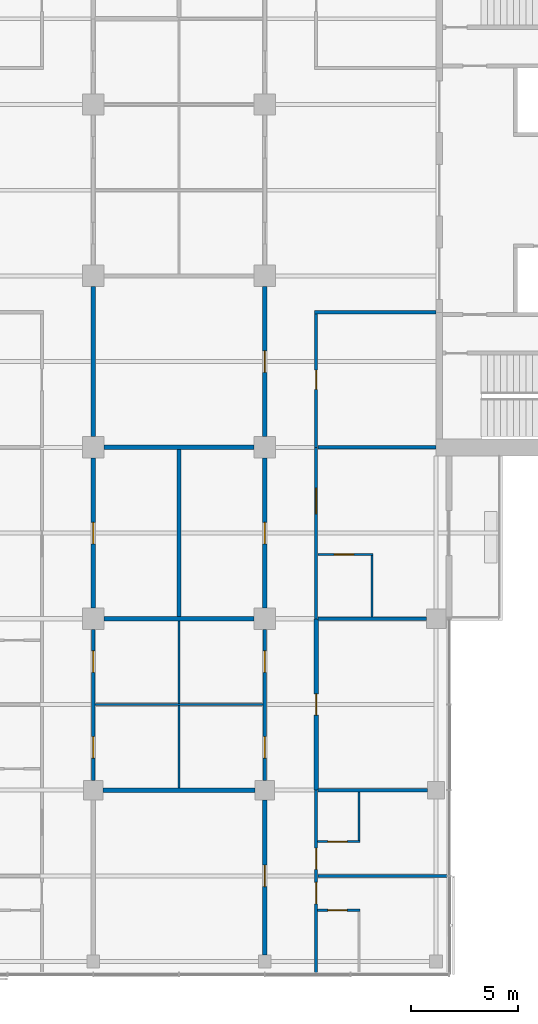
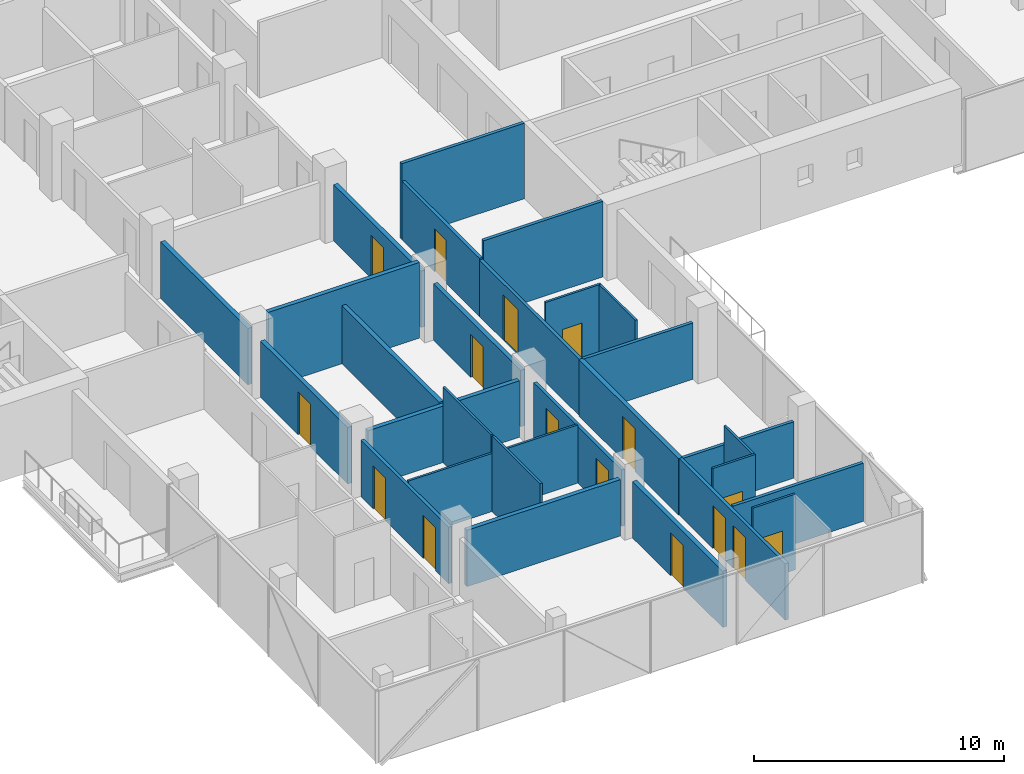
# One storey, part 16 of 27: 28 walls, 16 doors, 16 openings.
"""IFC4 building model written with IfcOpenShell, lengths in metres."""

import ifcopenshell
import ifcopenshell.guid

model = None  # the IFC model being written
_history = None  # IfcOwnerHistory: only IFC2X3 demands one
_inside = {}  # id of a spatial element -> (the spatial element, [elements in it])
_under = {}  # id of a project, library or spatial element -> (it, [spatial elements below it])
_declared = {}  # id of a project -> (the project, [libraries it declares])
_typed = {}  # id of a type object -> (the type object, [elements of that type])
_made_of = {}  # id of a material, layer set ... -> (it, [elements and type objects made of it])


def new_model(schema):
    """Start an empty IFC model of exactly this schema.

    Asked for "IFC4X3", IfcOpenShell would pick the latest addendum, in which some entities
    have other attributes; the version numbers below select the first issue.
    IFC2X3 requires an IfcOwnerHistory on every rooted entity: one is made here for all.
    """
    global model, _history
    if schema == "IFC4X3":
        model = ifcopenshell.file(schema_version=(4, 3, 0, 0))
    else:
        model = ifcopenshell.file(schema=schema)
    _inside.clear()
    _under.clear()
    _declared.clear()
    _typed.clear()
    _made_of.clear()
    _history = None
    if model.schema == "IFC2X3":
        org = make("IfcOrganization", Name="unknown")
        user = make(
            "IfcPersonAndOrganization",
            ThePerson=make("IfcPerson", FamilyName="unknown"),
            TheOrganization=org,
        )
        app = make(
            "IfcApplication",
            ApplicationDeveloper=org,
            Version="unknown",
            ApplicationFullName="unknown",
            ApplicationIdentifier="unknown",
        )
        _history = make(
            "IfcOwnerHistory",
            OwningUser=user,
            OwningApplication=app,
            ChangeAction="ADDED",
            CreationDate=0,
        )
    return model


def make(cls, **values):
    """One entity of the class cls with the attributes given. An attribute that is None is left unset."""
    return model.create_entity(
        cls, **{name: value for name, value in values.items() if value is not None}
    )


def rooted(cls, **values):
    """An entity with a GlobalId (a new one), such as an element, a storey or a relation."""
    return make(cls, GlobalId=ifcopenshell.guid.new(), OwnerHistory=_history, **values)


def si_unit(unit_type, name, prefix=None):
    """IfcSIUnit, for example si_unit("LENGTHUNIT", "METRE", prefix="MILLI")."""
    return make("IfcSIUnit", UnitType=unit_type, Prefix=prefix, Name=name)


def assignment(units):
    """IfcUnitAssignment: the units of a project."""
    return None if units is None else make("IfcUnitAssignment", Units=units)


def point(xyz):
    """IfcCartesianPoint."""
    return None if xyz is None else make("IfcCartesianPoint", Coordinates=xyz)


def direction(xyz):
    """IfcDirection."""
    return None if xyz is None else make("IfcDirection", DirectionRatios=xyz)


def frame(location, z_axis=None, x_axis=None):
    """IfcAxis2Placement3D, a coordinate frame: its origin and axes. An axis left out is left unset."""
    return make(
        "IfcAxis2Placement3D",
        Location=point(location),
        Axis=direction(z_axis),
        RefDirection=direction(x_axis),
    )


def frame_2d(location, x_axis=None):
    """IfcAxis2Placement2D, a coordinate frame in the plane: its origin and x axis."""
    return make(
        "IfcAxis2Placement2D", Location=point(location), RefDirection=direction(x_axis)
    )


def origin():
    """The frame at (0, 0, 0) with its axes left unset."""
    return frame((0.0, 0.0, 0.0))


def place(relative_to, where):
    """IfcLocalPlacement: puts the frame where relative to a parent placement (None: the world)."""
    return make(
        "IfcLocalPlacement", PlacementRelTo=relative_to, RelativePlacement=where
    )


def context(
    kind, dimensions, precision=None, world=None, true_north=None, identifier=None
):
    """IfcGeometricRepresentationContext, for example the 3D "Model" context."""
    return make(
        "IfcGeometricRepresentationContext",
        ContextIdentifier=identifier,
        ContextType=kind,
        CoordinateSpaceDimension=dimensions,
        Precision=precision,
        WorldCoordinateSystem=world,
        TrueNorth=true_north,
    )


def subcontext(parent, identifier, kind, view, scale=None):
    """IfcGeometricRepresentationSubContext, for example "Body" below "Model"."""
    return make(
        "IfcGeometricRepresentationSubContext",
        ContextIdentifier=identifier,
        ContextType=kind,
        ParentContext=parent,
        TargetScale=scale,
        TargetView=view,
    )


def project(units=None, contexts=None):
    """IfcProject with its units and contexts."""
    return rooted(
        "IfcProject",
        Name="project",
        RepresentationContexts=contexts,
        UnitsInContext=assignment(units),
    )


def spatial(cls, under=None, at=None, **own):
    """A site, building, storey or space (cls), placed at a placement, below another one or the project."""
    s = rooted(cls, ObjectPlacement=at, **own)
    if under is not None:
        _under.setdefault(under.id(), (under, []))[1].append(s)
    return s


def profile(cls, at=None, kind="AREA", **sizes):
    """A parametric profile (cls). Its sizes go by their IFC names, for example OverallWidth=200.0."""
    return make(cls, ProfileType=kind, Position=at, **sizes)


def rectangle(**sizes):
    """IfcRectangleProfileDef."""
    return profile("IfcRectangleProfileDef", **sizes)


def extrude(swept, where, along, depth):
    """IfcExtrudedAreaSolid: the profile swept, set in the frame where, extruded along a direction by depth."""
    return make(
        "IfcExtrudedAreaSolid",
        SweptArea=swept,
        Position=where,
        ExtrudedDirection=direction(along),
        Depth=depth,
    )


def shape(context_of_items, identifier, shape_type, items):
    """IfcShapeRepresentation: the items that make up one representation, for example the "Body"."""
    return make(
        "IfcShapeRepresentation",
        ContextOfItems=context_of_items,
        RepresentationIdentifier=identifier,
        RepresentationType=shape_type,
        Items=items,
    )


def material(Name=None, Category=None):
    """IfcMaterial."""
    return make("IfcMaterial", Name=Name, Category=Category)


def layer(
    of_material, thickness, ventilated=None, Name=None, Category=None, Priority=None
):
    """IfcMaterialLayer: one layer of a wall or slab, of a material (None: an air gap)."""
    return make(
        "IfcMaterialLayer",
        Material=of_material,
        LayerThickness=thickness,
        IsVentilated=ventilated,
        Name=Name,
        Category=Category,
        Priority=Priority,
    )


def layer_set(layers, Name=None):
    """IfcMaterialLayerSet."""
    return make("IfcMaterialLayerSet", MaterialLayers=layers, LayerSetName=Name)


def made_of(thing, what):
    """Note that an element or type object is made of a material, layer set ...; save() writes the relation."""
    if what is not None:
        _made_of.setdefault(what.id(), (what, []))[1].append(thing)
    return thing


def type_object(cls, material=None, **own):
    """A type object (cls), such as IfcWallType, which elements share."""
    return made_of(rooted(cls, **own), material)


def element(
    cls,
    number,
    at=None,
    inside=None,
    cuts=None,
    type_object=None,
    material=None,
    context=None,
    identifier="Body",
    shape_type=None,
    held_by="IfcProductDefinitionShape",
    body=None,
    shapes=None,
    **own,
):
    """One element of the class cls, such as IfcWall. Its Tag is "e" and its number.

    at: its placement. inside: the storey or other place that contains it. cuts: it is an
    opening in that element (IfcRelVoidsElement). A single representation is given by context,
    identifier, shape_type and body (its items); several are given by shapes. held_by: the class
    of the entity that holds the representations. save() writes the other relations.
    """
    e = rooted(cls, Tag="e%d" % number, ObjectPlacement=at, **own)
    if body is not None:
        shapes = [shape(context, identifier, shape_type, body)]
    if shapes is not None:
        e.Representation = make(held_by, Representations=shapes)
    if inside is not None:
        _inside.setdefault(inside.id(), (inside, []))[1].append(e)
    if cuts is not None:
        rooted(
            "IfcRelVoidsElement", RelatingBuildingElement=cuts, RelatedOpeningElement=e
        )
    if type_object is not None:
        _typed.setdefault(type_object.id(), (type_object, []))[1].append(e)
    return made_of(e, material)


def fill(opening, filler):
    """IfcRelFillsElement: the door or window that sits in an opening."""
    return rooted(
        "IfcRelFillsElement",
        RelatingOpeningElement=opening,
        RelatedBuildingElement=filler,
    )


def aggregate(whole, parts):
    """IfcRelAggregates: a whole, such as a stair, and the parts it consists of."""
    return rooted("IfcRelAggregates", RelatingObject=whole, RelatedObjects=parts)


def save(model, path):
    """Write the relations noted so far, then the file.

    IfcRelAggregates (storeys below a building ...), IfcRelContainedInSpatialStructure (elements
    in a storey), IfcRelDefinesByType, IfcRelAssociatesMaterial and IfcRelDeclares: one each for
    every whole, place, type object, material and project.
    """
    for whole, parts in _under.values():
        aggregate(whole, parts)
    for where, things in _inside.values():
        rooted(
            "IfcRelContainedInSpatialStructure",
            RelatedElements=things,
            RelatingStructure=where,
        )
    for kind, things in _typed.values():
        rooted("IfcRelDefinesByType", RelatedObjects=things, RelatingType=kind)
    for what, things in _made_of.values():
        rooted("IfcRelAssociatesMaterial", RelatedObjects=things, RelatingMaterial=what)
    for by, libraries in _declared.values():
        rooted("IfcRelDeclares", RelatingContext=by, RelatedDefinitions=libraries)
    model.write(path)


model = new_model("IFC4")

# Units and contexts
model_context = context("Model", 3, precision=1e-05, world=origin(), true_north=direction((0.0, 1.0)))
body_context = subcontext(model_context, "Body", "Model", "MODEL_VIEW")
ifc_project = project(units=[si_unit("LENGTHUNIT", "METRE"), si_unit("AREAUNIT", "SQUARE_METRE"), si_unit("VOLUMEUNIT", "CUBIC_METRE"), si_unit("PLANEANGLEUNIT", "RADIAN"), si_unit("MASSUNIT", "GRAM", prefix="KILO")], contexts=[model_context])

# Site, building, storey
site_placement = place(None, origin())
site = spatial("IfcSite", under=ifc_project, at=site_placement, CompositionType="ELEMENT")
building_placement = place(site_placement, origin())
building = spatial("IfcBuilding", under=site, at=building_placement, Name="Crosswind Convention Tower", CompositionType="ELEMENT")
storey_placement = place(building_placement, frame((0.0, 0.0, 101.60009765625)))
storey = spatial("IfcBuildingStorey", under=building, at=storey_placement, Name="L20", CompositionType="ELEMENT", Elevation=101.60009765625)

# Wall
ifc_material_1 = material(Name="Plasterboard partition", Category="gypsum")
ifc_layer_1 = layer(ifc_material_1, 0.14990234375)
ifc_layer_set_1 = layer_set([ifc_layer_1], Name="CORRIDOR WALL 150")
wall_type_1 = type_object("IfcWallType", Name="CORRIDOR WALL 150", PredefinedType="PARTITIONING", material=ifc_layer_set_1)
wall_1_placement = place(storey_placement, frame((131.324951171875, 94.300048828125, 0.0), z_axis=(0.0, 0.0, 1.0), x_axis=(1.0, 0.0, 0.0)))
element("IfcWall", 1, at=wall_1_placement, inside=storey, type_object=wall_type_1, Name="Corridor Wall 19", PredefinedType="PARTITIONING", context=body_context, shape_type="SweptSolid", body=[
    extrude(rectangle(XDim=5.675048828125, YDim=0.14990234375, at=frame_2d((2.83740234375, 0.0))), origin(), (0.0, 0.0, 1.0), 3.699951171875),
])

# Wall, openings, doors
wall_2_placement = place(storey_placement, frame((121.0, 72.449951171875, 0.0), z_axis=(0.0, 0.0, 1.0), x_axis=(0.0, 1.0, 0.0)))
wall_2 = element("IfcWall", 2, at=wall_2_placement, inside=storey, type_object=wall_type_1, Name="Corridor Wall 64", PredefinedType="PARTITIONING", context=body_context, shape_type="SweptSolid", body=[
    extrude(rectangle(XDim=7.050048828125, YDim=0.14990234375, at=frame_2d((3.52490234375, 0.0))), origin(), (0.0, 0.0, 1.0), 2.760498046875),
])
opening_1_placement = place(wall_2_placement, frame((1.050048828125, 0.0, 0.0)))
opening_1 = element("IfcOpeningElement", 3, at=opening_1_placement, cuts=wall_2, Name="Opening 20.038", PredefinedType="OPENING", context=body_context, shape_type="SweptSolid", body=[
    extrude(rectangle(XDim=1.0, YDim=2.10009765625, at=frame_2d((0.5, 1.050048828125))), frame((0.0, 0.0849609375, 0.0), z_axis=(0.0, -1.0, 0.0), x_axis=(1.0, 0.0, 0.0)), (0.0, 0.0, 1.0), 0.169921875),
])
opening_2_placement = place(wall_2_placement, frame((5.050048828125, 0.0, 0.0)))
opening_2 = element("IfcOpeningElement", 4, at=opening_2_placement, cuts=wall_2, Name="Opening 20.039", PredefinedType="OPENING", context=body_context, shape_type="SweptSolid", body=[
    extrude(rectangle(XDim=1.0, YDim=2.10009765625, at=frame_2d((0.5, 1.050048828125))), frame((0.0, 0.0849609375, 0.0), z_axis=(0.0, -1.0, 0.0), x_axis=(1.0, 0.0, 0.0)), (0.0, 0.0, 1.0), 0.169921875),
])
ifc_material_2 = material(Name="Timber fire door", Category="wood")
door_type_1 = type_object("IfcDoorType", Name="SERVICE ROOM DOOR 1000X2100", OperationType="NOTDEFINED", PredefinedType="DOOR", material=ifc_material_2)
door_1_placement = place(opening_1_placement, frame((1.0, 0.0, 0.0), z_axis=(0.0, 0.0, 1.0), x_axis=(-1.0, 0.0, 0.0)))
door_1 = element("IfcDoor", 5, at=door_1_placement, inside=storey, type_object=door_type_1, Name="Door 20.038", ObjectType="D3", OperationType="SINGLE_SWING_RIGHT", OverallHeight=2.10009765625, OverallWidth=1.0, PredefinedType="DOOR", context=body_context, shape_type="SweptSolid", body=[
    extrude(rectangle(XDim=1.0, YDim=2.10009765625, at=frame_2d((0.5, 1.050048828125))), frame((0.0, 0.02490234375, 0.0), z_axis=(0.0, -1.0, 0.0), x_axis=(1.0, 0.0, 0.0)), (0.0, 0.0, 1.0), 0.050048828125),
])
fill(opening_1, door_1)
door_2_placement = place(opening_2_placement, frame((1.0, 0.0, 0.0), z_axis=(0.0, 0.0, 1.0), x_axis=(-1.0, 0.0, 0.0)))
door_2 = element("IfcDoor", 6, at=door_2_placement, inside=storey, type_object=door_type_1, Name="Door 20.039", ObjectType="D3", OperationType="SINGLE_SWING_LEFT", OverallHeight=2.10009765625, OverallWidth=1.0, PredefinedType="DOOR", context=body_context, shape_type="SweptSolid", body=[
    extrude(rectangle(XDim=1.0, YDim=2.10009765625, at=frame_2d((0.5, 1.050048828125))), frame((0.0, 0.02490234375, 0.0), z_axis=(0.0, -1.0, 0.0), x_axis=(1.0, 0.0, 0.0)), (0.0, 0.0, 1.0), 0.050048828125),
])
fill(opening_2, door_2)

wall_3_placement = place(storey_placement, frame((129.0, 72.449951171875, 0.0), z_axis=(0.0, 0.0, 1.0), x_axis=(0.0, 1.0, 0.0)))
wall_3 = element("IfcWall", 7, at=wall_3_placement, inside=storey, type_object=wall_type_1, Name="Corridor Wall 84", PredefinedType="PARTITIONING", context=body_context, shape_type="SweptSolid", body=[
    extrude(rectangle(XDim=7.050048828125, YDim=0.14990234375, at=frame_2d((3.52490234375, 0.0))), origin(), (0.0, 0.0, 1.0), 2.760498046875),
])
opening_3_placement = place(wall_3_placement, frame((1.050048828125, 0.0, 0.0)))
opening_3 = element("IfcOpeningElement", 8, at=opening_3_placement, cuts=wall_3, Name="Opening 20.040", PredefinedType="OPENING", context=body_context, shape_type="SweptSolid", body=[
    extrude(rectangle(XDim=1.0, YDim=2.10009765625, at=frame_2d((0.5, 1.050048828125))), frame((0.0, 0.0849609375, 0.0), z_axis=(0.0, -1.0, 0.0), x_axis=(1.0, 0.0, 0.0)), (0.0, 0.0, 1.0), 0.169921875),
])
opening_4_placement = place(wall_3_placement, frame((5.050048828125, 0.0, 0.0)))
opening_4 = element("IfcOpeningElement", 9, at=opening_4_placement, cuts=wall_3, Name="Opening 20.041", PredefinedType="OPENING", context=body_context, shape_type="SweptSolid", body=[
    extrude(rectangle(XDim=1.0, YDim=2.10009765625, at=frame_2d((0.5, 1.050048828125))), frame((0.0, 0.0849609375, 0.0), z_axis=(0.0, -1.0, 0.0), x_axis=(1.0, 0.0, 0.0)), (0.0, 0.0, 1.0), 0.169921875),
])
door_3_placement = place(opening_3_placement, origin())
door_3 = element("IfcDoor", 10, at=door_3_placement, inside=storey, type_object=door_type_1, Name="Door 20.040", ObjectType="D3", OperationType="SINGLE_SWING_LEFT", OverallHeight=2.10009765625, OverallWidth=1.0, PredefinedType="DOOR", context=body_context, shape_type="SweptSolid", body=[
    extrude(rectangle(XDim=1.0, YDim=2.10009765625, at=frame_2d((0.5, 1.050048828125))), frame((0.0, 0.02490234375, 0.0), z_axis=(0.0, -1.0, 0.0), x_axis=(1.0, 0.0, 0.0)), (0.0, 0.0, 1.0), 0.050048828125),
])
fill(opening_3, door_3)
door_4_placement = place(opening_4_placement, origin())
door_4 = element("IfcDoor", 11, at=door_4_placement, inside=storey, type_object=door_type_1, Name="Door 20.041", ObjectType="D3", OperationType="SINGLE_SWING_RIGHT", OverallHeight=2.10009765625, OverallWidth=1.0, PredefinedType="DOOR", context=body_context, shape_type="SweptSolid", body=[
    extrude(rectangle(XDim=1.0, YDim=2.10009765625, at=frame_2d((0.5, 1.050048828125))), frame((0.0, 0.02490234375, 0.0), z_axis=(0.0, -1.0, 0.0), x_axis=(1.0, 0.0, 0.0)), (0.0, 0.0, 1.0), 0.050048828125),
])
fill(opening_4, door_4)

# Wall, opening, door
wall_4_placement = place(storey_placement, frame((131.39990234375, 88.0, 0.0), z_axis=(0.0, 0.0, 1.0), x_axis=(0.0, 1.0, 0.0)))
wall_4 = element("IfcWall", 12, at=wall_4_placement, inside=storey, type_object=wall_type_1, Name="Corridor Wall 95", PredefinedType="PARTITIONING", context=body_context, shape_type="SweptSolid", body=[
    extrude(rectangle(XDim=6.22509765625, YDim=0.14990234375, at=frame_2d((3.112548828125, 0.0))), origin(), (0.0, 0.0, 1.0), 2.8427734375),
])
opening_5_placement = place(wall_4_placement, frame((2.699951171875, 0.0, 0.0)))
opening_5 = element("IfcOpeningElement", 13, at=opening_5_placement, cuts=wall_4, Name="Opening 20.002", PredefinedType="OPENING", context=body_context, shape_type="SweptSolid", body=[
    extrude(rectangle(XDim=0.89990234375, YDim=2.10009765625, at=frame_2d((0.449951171875, 1.050048828125))), frame((0.0, 0.0849609375, 0.0), z_axis=(0.0, -1.0, 0.0), x_axis=(1.0, 0.0, 0.0)), (0.0, 0.0, 1.0), 0.169921875),
])
ifc_material_3 = material(Name="Timber door", Category="wood")
door_type_2 = type_object("IfcDoorType", Name="WC DOOR 900X2100", OperationType="NOTDEFINED", PredefinedType="DOOR", material=ifc_material_3)
door_5_placement = place(opening_5_placement, frame((0.89990234375, 0.0, 0.0), z_axis=(0.0, 0.0, 1.0), x_axis=(-1.0, 0.0, 0.0)))
door_5 = element("IfcDoor", 14, at=door_5_placement, inside=storey, type_object=door_type_2, Name="Door 20.002", ObjectType="D7", OperationType="SINGLE_SWING_LEFT", OverallHeight=2.10009765625, OverallWidth=0.89990234375, PredefinedType="DOOR", context=body_context, shape_type="SweptSolid", body=[
    extrude(rectangle(XDim=0.89990234375, YDim=2.10009765625, at=frame_2d((0.449951171875, 1.050048828125))), frame((0.0, 0.02490234375, 0.0), z_axis=(0.0, -1.0, 0.0), x_axis=(1.0, 0.0, 0.0)), (0.0, 0.0, 1.0), 0.050048828125),
])
fill(opening_5, door_5)

# Walls
ifc_material_4 = material(Name="Acoustic plasterboard partition", Category="gypsum")
ifc_layer_2 = layer(ifc_material_4, 0.14990234375)
ifc_layer_set_2 = layer_set([ifc_layer_2], Name="GUEST ROOM WALL 150")
wall_type_2 = type_object("IfcWallType", Name="GUEST ROOM WALL 150", PredefinedType="PARTITIONING", material=ifc_layer_set_2)
wall_5_placement = place(storey_placement, frame((131.47509765625, 68.0, 0.0), z_axis=(0.0, 0.0, 1.0), x_axis=(1.0, 0.0, 0.0)))
element("IfcWall", 15, at=wall_5_placement, inside=storey, type_object=wall_type_2, Name="Guest Room Wall 4", PredefinedType="PARTITIONING", context=body_context, shape_type="SweptSolid", body=[
    extrude(rectangle(XDim=6.02490234375, YDim=0.14990234375, at=frame_2d((3.012451171875, 0.0))), origin(), (0.0, 0.0, 1.0), 2.8427734375),
])
wall_6_placement = place(storey_placement, frame((131.47509765625, 72.0, 0.0), z_axis=(0.0, 0.0, 1.0), x_axis=(1.0, 0.0, 0.0)))
element("IfcWall", 16, at=wall_6_placement, inside=storey, type_object=wall_type_2, Name="Guest Room Wall 7", PredefinedType="PARTITIONING", context=body_context, shape_type="SweptSolid", body=[
    extrude(rectangle(XDim=5.125, YDim=0.14990234375, at=frame_2d((2.5625, 0.0))), origin(), (0.0, 0.0, 1.0), 2.760498046875),
])
wall_7_placement = place(storey_placement, frame((131.47509765625, 80.0, 0.0), z_axis=(0.0, 0.0, 1.0), x_axis=(1.0, 0.0, 0.0)))
element("IfcWall", 17, at=wall_7_placement, inside=storey, type_object=wall_type_2, Name="Guest Room Wall 13", PredefinedType="PARTITIONING", context=body_context, shape_type="SweptSolid", body=[
    extrude(rectangle(XDim=5.074951171875, YDim=0.14990234375, at=frame_2d((2.53759765625, 0.0))), origin(), (0.0, 0.0, 1.0), 2.760498046875),
])
wall_8_placement = place(storey_placement, frame((131.47509765625, 88.0, 0.0), z_axis=(0.0, 0.0, 1.0), x_axis=(1.0, 0.0, 0.0)))
element("IfcWall", 18, at=wall_8_placement, inside=storey, type_object=wall_type_2, Name="Guest Room Wall 17", PredefinedType="PARTITIONING", context=body_context, shape_type="SweptSolid", body=[
    extrude(rectangle(XDim=5.52490234375, YDim=0.14990234375, at=frame_2d((2.762451171875, 0.0))), origin(), (0.0, 0.0, 1.0), 3.699951171875),
])

# Wall, openings, doors
wall_9_placement = place(storey_placement, frame((131.39990234375, 63.5, 0.0), z_axis=(0.0, 0.0, 1.0), x_axis=(0.0, 1.0, 0.0)))
wall_9 = element("IfcWall", 19, at=wall_9_placement, inside=storey, type_object=wall_type_2, Name="Guest Room Wall 92", PredefinedType="PARTITIONING", context=body_context, shape_type="SweptSolid", body=[
    extrude(rectangle(XDim=8.5, YDim=0.14990234375, at=frame_2d((4.25, 0.0))), origin(), (0.0, 0.0, 1.0), 2.760498046875),
])
opening_6_placement = place(wall_9_placement, frame((4.800048828125, 0.0, 0.0)))
opening_6 = element("IfcOpeningElement", 20, at=opening_6_placement, cuts=wall_9, Name="Opening 20.017", PredefinedType="OPENING", context=body_context, shape_type="SweptSolid", body=[
    extrude(rectangle(XDim=1.0, YDim=2.10009765625, at=frame_2d((0.5, 1.050048828125))), frame((0.0, 0.0849609375, 0.0), z_axis=(0.0, -1.0, 0.0), x_axis=(1.0, 0.0, 0.0)), (0.0, 0.0, 1.0), 0.169921875),
])
opening_7_placement = place(wall_9_placement, frame((3.199951171875, 0.0, 0.0)))
opening_7 = element("IfcOpeningElement", 21, at=opening_7_placement, cuts=wall_9, Name="Opening 20.019", PredefinedType="OPENING", context=body_context, shape_type="SweptSolid", body=[
    extrude(rectangle(XDim=1.0, YDim=2.10009765625, at=frame_2d((0.5, 1.050048828125))), frame((0.0, 0.0849609375, 0.0), z_axis=(0.0, -1.0, 0.0), x_axis=(1.0, 0.0, 0.0)), (0.0, 0.0, 1.0), 0.169921875),
])
door_type_3 = type_object("IfcDoorType", Name="GUEST ROOM DOOR 1000X2100", OperationType="NOTDEFINED", PredefinedType="DOOR", material=ifc_material_2)
door_6_placement = place(opening_6_placement, frame((1.0, 0.0, 0.0), z_axis=(0.0, 0.0, 1.0), x_axis=(-1.0, 0.0, 0.0)))
door_6 = element("IfcDoor", 22, at=door_6_placement, inside=storey, type_object=door_type_3, Name="Door 20.017", ObjectType="D1", OperationType="SINGLE_SWING_LEFT", OverallHeight=2.10009765625, OverallWidth=1.0, PredefinedType="DOOR", context=body_context, shape_type="SweptSolid", body=[
    extrude(rectangle(XDim=1.0, YDim=2.10009765625, at=frame_2d((0.5, 1.050048828125))), frame((0.0, 0.02490234375, 0.0), z_axis=(0.0, -1.0, 0.0), x_axis=(1.0, 0.0, 0.0)), (0.0, 0.0, 1.0), 0.050048828125),
])
fill(opening_6, door_6)
door_7_placement = place(opening_7_placement, frame((1.0, 0.0, 0.0), z_axis=(0.0, 0.0, 1.0), x_axis=(-1.0, 0.0, 0.0)))
door_7 = element("IfcDoor", 23, at=door_7_placement, inside=storey, type_object=door_type_3, Name="Door 20.019", ObjectType="D1", OperationType="SINGLE_SWING_LEFT", OverallHeight=2.10009765625, OverallWidth=1.0, PredefinedType="DOOR", context=body_context, shape_type="SweptSolid", body=[
    extrude(rectangle(XDim=1.0, YDim=2.10009765625, at=frame_2d((0.5, 1.050048828125))), frame((0.0, 0.02490234375, 0.0), z_axis=(0.0, -1.0, 0.0), x_axis=(1.0, 0.0, 0.0)), (0.0, 0.0, 1.0), 0.050048828125),
])
fill(opening_7, door_7)

# Wall, opening, door
wall_10_placement = place(storey_placement, frame((131.39990234375, 80.0, 0.0), z_axis=(0.0, 0.0, 1.0), x_axis=(0.0, 1.0, 0.0)))
wall_10 = element("IfcWall", 24, at=wall_10_placement, inside=storey, type_object=wall_type_2, Name="Guest Room Wall 94", PredefinedType="PARTITIONING", context=body_context, shape_type="SweptSolid", body=[
    extrude(rectangle(XDim=8.0, YDim=0.14990234375, at=frame_2d((4.0, 0.0))), origin(), (0.0, 0.0, 1.0), 2.760498046875),
])
opening_8_placement = place(wall_10_placement, frame((4.89990234375, 0.0, 0.0)))
opening_8 = element("IfcOpeningElement", 25, at=opening_8_placement, cuts=wall_10, Name="Opening 20.014", PredefinedType="OPENING", context=body_context, shape_type="SweptSolid", body=[
    extrude(rectangle(XDim=1.199951171875, YDim=2.199951171875, at=frame_2d((0.60009765625, 1.10009765625))), frame((0.0, 0.0849609375, 0.0), z_axis=(0.0, -1.0, 0.0), x_axis=(1.0, 0.0, 0.0)), (0.0, 0.0, 1.0), 0.169921875),
])
door_type_4 = type_object("IfcDoorType", Name="SUITE DOOR 1200X2200", OperationType="DOUBLE_DOOR_SINGLE_SWING", PredefinedType="DOOR", material=ifc_material_2)
door_8_placement = place(opening_8_placement, frame((1.199951171875, 0.0, 0.0), z_axis=(0.0, 0.0, 1.0), x_axis=(-1.0, 0.0, 0.0)))
door_8 = element("IfcDoor", 26, at=door_8_placement, inside=storey, type_object=door_type_4, Name="Door 20.014", ObjectType="D14", OperationType="DOUBLE_DOOR_SINGLE_SWING", OverallHeight=2.199951171875, OverallWidth=1.199951171875, PredefinedType="DOOR", context=body_context, shape_type="SweptSolid", body=[
    extrude(rectangle(XDim=1.199951171875, YDim=2.199951171875, at=frame_2d((0.60009765625, 1.10009765625))), frame((0.0, 0.02490234375, 0.0), z_axis=(0.0, -1.0, 0.0), x_axis=(1.0, 0.0, 0.0)), (0.0, 0.0, 1.0), 0.050048828125),
])
fill(opening_8, door_8)

# Walls
ifc_material_5 = material(Name="Double plasterboard partition", Category="gypsum")
ifc_layer_3 = layer(ifc_material_5, 0.199951171875)
ifc_layer_set_3 = layer_set([ifc_layer_3], Name="HALL WALL 200")
wall_type_3 = type_object("IfcWallType", Name="HALL WALL 200", PredefinedType="PARTITIONING", material=ifc_layer_set_3)
wall_11_placement = place(storey_placement, frame((121.449951171875, 72.0, 0.0), z_axis=(0.0, 0.0, 1.0), x_axis=(1.0, 0.0, 0.0)))
element("IfcWall", 27, at=wall_11_placement, inside=storey, type_object=wall_type_3, Name="Hall Wall 6", PredefinedType="PARTITIONING", context=body_context, shape_type="SweptSolid", body=[
    extrude(rectangle(XDim=7.10009765625, YDim=0.199951171875, at=frame_2d((3.550048828125, 0.0))), origin(), (0.0, 0.0, 1.0), 2.760498046875),
])
wall_12_placement = place(storey_placement, frame((121.5, 80.0, 0.0), z_axis=(0.0, 0.0, 1.0), x_axis=(1.0, 0.0, 0.0)))
element("IfcWall", 28, at=wall_12_placement, inside=storey, type_object=wall_type_3, Name="Hall Wall 12", PredefinedType="PARTITIONING", context=body_context, shape_type="SweptSolid", body=[
    extrude(rectangle(XDim=7.0, YDim=0.199951171875, at=frame_2d((3.5, 0.0))), origin(), (0.0, 0.0, 1.0), 2.760498046875),
])
wall_13_placement = place(storey_placement, frame((121.5, 88.0, 0.0), z_axis=(0.0, 0.0, 1.0), x_axis=(1.0, 0.0, 0.0)))
element("IfcWall", 29, at=wall_13_placement, inside=storey, type_object=wall_type_3, Name="Hall Wall 16", PredefinedType="PARTITIONING", context=body_context, shape_type="SweptSolid", body=[
    extrude(rectangle(XDim=7.0, YDim=0.199951171875, at=frame_2d((3.5, 0.0))), origin(), (0.0, 0.0, 1.0), 3.699951171875),
])

# Wall, opening, door
wall_14_placement = place(storey_placement, frame((121.0, 80.5, 0.0), z_axis=(0.0, 0.0, 1.0), x_axis=(0.0, 1.0, 0.0)))
wall_14 = element("IfcWall", 30, at=wall_14_placement, inside=storey, type_object=wall_type_3, Name="Hall Wall 65", PredefinedType="PARTITIONING", context=body_context, shape_type="SweptSolid", body=[
    extrude(rectangle(XDim=7.0, YDim=0.199951171875, at=frame_2d((3.5, 0.0))), origin(), (0.0, 0.0, 1.0), 2.760498046875),
])
opening_9_placement = place(wall_14_placement, frame((3.0, 0.0, 0.0)))
opening_9 = element("IfcOpeningElement", 31, at=opening_9_placement, cuts=wall_14, Name="Opening 20.042", PredefinedType="OPENING", context=body_context, shape_type="SweptSolid", body=[
    extrude(rectangle(XDim=1.0, YDim=2.10009765625, at=frame_2d((0.5, 1.050048828125))), frame((0.0, 0.10986328125, 0.0), z_axis=(0.0, -1.0, 0.0), x_axis=(1.0, 0.0, 0.0)), (0.0, 0.0, 1.0), 0.219970703125),
])
door_type_5 = type_object("IfcDoorType", Name="MEETING ROOM DOOR 1000X2100", OperationType="NOTDEFINED", PredefinedType="DOOR", material=ifc_material_2)
door_9_placement = place(opening_9_placement, frame((1.0, 0.0, 0.0), z_axis=(0.0, 0.0, 1.0), x_axis=(-1.0, 0.0, 0.0)))
door_9 = element("IfcDoor", 32, at=door_9_placement, inside=storey, type_object=door_type_5, Name="Door 20.042", ObjectType="D13", OperationType="SINGLE_SWING_LEFT", OverallHeight=2.10009765625, OverallWidth=1.0, PredefinedType="DOOR", context=body_context, shape_type="SweptSolid", body=[
    extrude(rectangle(XDim=1.0, YDim=2.10009765625, at=frame_2d((0.5, 1.050048828125))), frame((0.0, 0.02490234375, 0.0), z_axis=(0.0, -1.0, 0.0), x_axis=(1.0, 0.0, 0.0)), (0.0, 0.0, 1.0), 0.050048828125),
])
fill(opening_9, door_9)

# Walls
wall_15_placement = place(storey_placement, frame((121.0, 88.5, 0.0), z_axis=(0.0, 0.0, 1.0), x_axis=(0.0, 1.0, 0.0)))
element("IfcWall", 33, at=wall_15_placement, inside=storey, type_object=wall_type_3, Name="Hall Wall 66", PredefinedType="PARTITIONING", context=body_context, shape_type="SweptSolid", body=[
    extrude(rectangle(XDim=7.0, YDim=0.199951171875, at=frame_2d((3.5, 0.0))), origin(), (0.0, 0.0, 1.0), 2.760498046875),
])
wall_16_placement = place(storey_placement, frame((125.0, 80.10009765625, 0.0), z_axis=(0.0, 0.0, 1.0), x_axis=(0.0, 1.0, 0.0)))
element("IfcWall", 34, at=wall_16_placement, inside=storey, type_object=wall_type_3, Name="Hall Wall 75", PredefinedType="PARTITIONING", context=body_context, shape_type="SweptSolid", body=[
    extrude(rectangle(XDim=7.7998046875, YDim=0.199951171875, at=frame_2d((3.89990234375, 0.0))), origin(), (0.0, 0.0, 1.0), 2.8427734375),
])

# Wall, opening, door
wall_17_placement = place(storey_placement, frame((129.0, 64.300048828125, 0.0), z_axis=(0.0, 0.0, 1.0), x_axis=(0.0, 1.0, 0.0)))
wall_17 = element("IfcWall", 35, at=wall_17_placement, inside=storey, type_object=wall_type_3, Name="Hall Wall 83", PredefinedType="PARTITIONING", context=body_context, shape_type="SweptSolid", body=[
    extrude(rectangle(XDim=7.25, YDim=0.199951171875, at=frame_2d((3.625, 0.0))), origin(), (0.0, 0.0, 1.0), 2.760498046875),
])
opening_10_placement = place(wall_17_placement, frame((3.199951171875, 0.0, 0.0)))
opening_10 = element("IfcOpeningElement", 36, at=opening_10_placement, cuts=wall_17, Name="Opening 20.037", PredefinedType="OPENING", context=body_context, shape_type="SweptSolid", body=[
    extrude(rectangle(XDim=1.0, YDim=2.10009765625, at=frame_2d((0.5, 1.050048828125))), frame((0.0, 0.10986328125, 0.0), z_axis=(0.0, -1.0, 0.0), x_axis=(1.0, 0.0, 0.0)), (0.0, 0.0, 1.0), 0.219970703125),
])
door_10_placement = place(opening_10_placement, frame((1.0, 0.0, 0.0), z_axis=(0.0, 0.0, 1.0), x_axis=(-1.0, 0.0, 0.0)))
door_10 = element("IfcDoor", 37, at=door_10_placement, inside=storey, type_object=door_type_5, Name="Door 20.037", ObjectType="D13", OperationType="SINGLE_SWING_LEFT", OverallHeight=2.10009765625, OverallWidth=1.0, PredefinedType="DOOR", context=body_context, shape_type="SweptSolid", body=[
    extrude(rectangle(XDim=1.0, YDim=2.10009765625, at=frame_2d((0.5, 1.050048828125))), frame((0.0, 0.02490234375, 0.0), z_axis=(0.0, -1.0, 0.0), x_axis=(1.0, 0.0, 0.0)), (0.0, 0.0, 1.0), 0.050048828125),
])
fill(opening_10, door_10)

wall_18_placement = place(storey_placement, frame((129.0, 80.5, 0.0), z_axis=(0.0, 0.0, 1.0), x_axis=(0.0, 1.0, 0.0)))
wall_18 = element("IfcWall", 38, at=wall_18_placement, inside=storey, type_object=wall_type_3, Name="Hall Wall 85", PredefinedType="PARTITIONING", context=body_context, shape_type="SweptSolid", body=[
    extrude(rectangle(XDim=7.0, YDim=0.199951171875, at=frame_2d((3.5, 0.0))), origin(), (0.0, 0.0, 1.0), 2.760498046875),
])
opening_11_placement = place(wall_18_placement, frame((3.0, 0.0, 0.0)))
opening_11 = element("IfcOpeningElement", 39, at=opening_11_placement, cuts=wall_18, Name="Opening 20.043", PredefinedType="OPENING", context=body_context, shape_type="SweptSolid", body=[
    extrude(rectangle(XDim=1.0, YDim=2.10009765625, at=frame_2d((0.5, 1.050048828125))), frame((0.0, 0.10986328125, 0.0), z_axis=(0.0, -1.0, 0.0), x_axis=(1.0, 0.0, 0.0)), (0.0, 0.0, 1.0), 0.219970703125),
])
door_11_placement = place(opening_11_placement, origin())
door_11 = element("IfcDoor", 40, at=door_11_placement, inside=storey, type_object=door_type_5, Name="Door 20.043", ObjectType="D13", OperationType="SINGLE_SWING_RIGHT", OverallHeight=2.10009765625, OverallWidth=1.0, PredefinedType="DOOR", context=body_context, shape_type="SweptSolid", body=[
    extrude(rectangle(XDim=1.0, YDim=2.10009765625, at=frame_2d((0.5, 1.050048828125))), frame((0.0, 0.02490234375, 0.0), z_axis=(0.0, -1.0, 0.0), x_axis=(1.0, 0.0, 0.0)), (0.0, 0.0, 1.0), 0.050048828125),
])
fill(opening_11, door_11)

wall_19_placement = place(storey_placement, frame((129.0, 88.5, 0.0), z_axis=(0.0, 0.0, 1.0), x_axis=(0.0, 1.0, 0.0)))
wall_19 = element("IfcWall", 41, at=wall_19_placement, inside=storey, type_object=wall_type_3, Name="Hall Wall 86", PredefinedType="PARTITIONING", context=body_context, shape_type="SweptSolid", body=[
    extrude(rectangle(XDim=7.0, YDim=0.199951171875, at=frame_2d((3.5, 0.0))), origin(), (0.0, 0.0, 1.0), 2.760498046875),
])
opening_12_placement = place(wall_19_placement, frame((3.0, 0.0, 0.0)))
opening_12 = element("IfcOpeningElement", 42, at=opening_12_placement, cuts=wall_19, Name="Opening 20.044", PredefinedType="OPENING", context=body_context, shape_type="SweptSolid", body=[
    extrude(rectangle(XDim=1.0, YDim=2.10009765625, at=frame_2d((0.5, 1.050048828125))), frame((0.0, 0.10986328125, 0.0), z_axis=(0.0, -1.0, 0.0), x_axis=(1.0, 0.0, 0.0)), (0.0, 0.0, 1.0), 0.219970703125),
])
door_12_placement = place(opening_12_placement, frame((1.0, 0.0, 0.0), z_axis=(0.0, 0.0, 1.0), x_axis=(-1.0, 0.0, 0.0)))
door_12 = element("IfcDoor", 43, at=door_12_placement, inside=storey, type_object=door_type_5, Name="Door 20.044", ObjectType="D13", OperationType="SINGLE_SWING_LEFT", OverallHeight=2.10009765625, OverallWidth=1.0, PredefinedType="DOOR", context=body_context, shape_type="SweptSolid", body=[
    extrude(rectangle(XDim=1.0, YDim=2.10009765625, at=frame_2d((0.5, 1.050048828125))), frame((0.0, 0.02490234375, 0.0), z_axis=(0.0, -1.0, 0.0), x_axis=(1.0, 0.0, 0.0)), (0.0, 0.0, 1.0), 0.050048828125),
])
fill(opening_12, door_12)

wall_20_placement = place(storey_placement, frame((131.39990234375, 72.0, 0.0), z_axis=(0.0, 0.0, 1.0), x_axis=(0.0, 1.0, 0.0)))
wall_20 = element("IfcWall", 44, at=wall_20_placement, inside=storey, type_object=wall_type_3, Name="Hall Wall 93", PredefinedType="PARTITIONING", context=body_context, shape_type="SweptSolid", body=[
    extrude(rectangle(XDim=8.0, YDim=0.199951171875, at=frame_2d((4.0, 0.0))), origin(), (0.0, 0.0, 1.0), 2.760498046875),
])
opening_13_placement = place(wall_20_placement, frame((3.5, 0.0, 0.0)))
opening_13 = element("IfcOpeningElement", 45, at=opening_13_placement, cuts=wall_20, Name="Opening 20.016", PredefinedType="OPENING", context=body_context, shape_type="SweptSolid", body=[
    extrude(rectangle(XDim=1.0, YDim=2.10009765625, at=frame_2d((0.5, 1.050048828125))), frame((0.0, 0.10986328125, 0.0), z_axis=(0.0, -1.0, 0.0), x_axis=(1.0, 0.0, 0.0)), (0.0, 0.0, 1.0), 0.219970703125),
])
door_13_placement = place(opening_13_placement, frame((1.0, 0.0, 0.0), z_axis=(0.0, 0.0, 1.0), x_axis=(-1.0, 0.0, 0.0)))
door_13 = element("IfcDoor", 46, at=door_13_placement, inside=storey, type_object=door_type_5, Name="Door 20.016", ObjectType="D13", OperationType="SINGLE_SWING_LEFT", OverallHeight=2.10009765625, OverallWidth=1.0, PredefinedType="DOOR", context=body_context, shape_type="SweptSolid", body=[
    extrude(rectangle(XDim=1.0, YDim=2.10009765625, at=frame_2d((0.5, 1.050048828125))), frame((0.0, 0.02490234375, 0.0), z_axis=(0.0, -1.0, 0.0), x_axis=(1.0, 0.0, 0.0)), (0.0, 0.0, 1.0), 0.050048828125),
])
fill(opening_13, door_13)

# Walls
ifc_layer_4 = layer(ifc_material_1, 0.10009765625)
ifc_layer_set_4 = layer_set([ifc_layer_4], Name="PARTITION 100")
wall_type_4 = type_object("IfcWallType", Name="PARTITION 100", PredefinedType="PARTITIONING", material=ifc_layer_set_4)
wall_21_placement = place(storey_placement, frame((121.074951171875, 76.0, 0.0), z_axis=(0.0, 0.0, 1.0), x_axis=(1.0, 0.0, 0.0)))
element("IfcWall", 47, at=wall_21_placement, inside=storey, type_object=wall_type_4, Name="Partition 10", PredefinedType="PARTITIONING", context=body_context, shape_type="SweptSolid", body=[
    extrude(rectangle(XDim=7.85009765625, YDim=0.10009765625, at=frame_2d((3.925048828125, 0.0))), origin(), (0.0, 0.0, 1.0), 2.8427734375),
])
for number, where, z_axis, x_axis, name in (
    (48, (125.0, 72.10009765625, 0.0), (0.0, 0.0, 1.0), (0.0, 1.0, 0.0), "Partition 73"),
    (49, (125.0, 76.050048828125, 0.0), (0.0, 0.0, 1.0), (0.0, 1.0, 0.0), "Partition 74"),
):
    element("IfcWall", number, at=place(storey_placement, frame(where, z_axis=z_axis, x_axis=x_axis)), inside=storey, type_object=wall_type_4, Name=name, PredefinedType="PARTITIONING", context=body_context, shape_type="SweptSolid", body=[
        extrude(rectangle(XDim=3.849853515625, YDim=0.10009765625, at=frame_2d((1.9248046875, 0.0))), origin(), (0.0, 0.0, 1.0), 3.699951171875),
    ])

# Wall, opening, door
ifc_material_6 = material(Name="Water-resistant plasterboard partition", Category="gypsum")
ifc_layer_5 = layer(ifc_material_6, 0.10009765625)
ifc_layer_set_5 = layer_set([ifc_layer_5], Name="WET ROOM PARTITION 100")
wall_type_5 = type_object("IfcWallType", Name="WET ROOM PARTITION 100", PredefinedType="PLUMBINGWALL", material=ifc_layer_set_5)
wall_22_placement = place(storey_placement, frame((131.47509765625, 66.39990234375, 0.0), z_axis=(0.0, 0.0, 1.0), x_axis=(1.0, 0.0, 0.0)))
wall_22 = element("IfcWall", 50, at=wall_22_placement, inside=storey, type_object=wall_type_5, Name="Wet Room Partition 2", PredefinedType="PLUMBINGWALL", context=body_context, shape_type="SweptSolid", body=[
    extrude(rectangle(XDim=1.974853515625, YDim=0.10009765625, at=frame_2d((0.9873046875, 0.0))), origin(), (0.0, 0.0, 1.0), 3.699951171875),
])
opening_14_placement = place(wall_22_placement, frame((0.47509765625, 0.0, 0.0)))
opening_14 = element("IfcOpeningElement", 51, at=opening_14_placement, cuts=wall_22, Name="Opening 20.020", PredefinedType="OPENING", context=body_context, shape_type="SweptSolid", body=[
    extrude(rectangle(XDim=0.89990234375, YDim=2.10009765625, at=frame_2d((0.449951171875, 1.050048828125))), frame((0.0, 0.06005859375, 0.0), z_axis=(0.0, -1.0, 0.0), x_axis=(1.0, 0.0, 0.0)), (0.0, 0.0, 1.0), 0.1201171875),
])
door_type_6 = type_object("IfcDoorType", Name="EN-SUITE DOOR 900X2100", OperationType="NOTDEFINED", PredefinedType="DOOR", material=ifc_material_3)
door_14_placement = place(opening_14_placement, frame((0.89990234375, 0.0, 0.0), z_axis=(0.0, 0.0, 1.0), x_axis=(-1.0, 0.0, 0.0)))
door_14 = element("IfcDoor", 52, at=door_14_placement, inside=storey, type_object=door_type_6, Name="Door 20.020", ObjectType="D2", OperationType="SINGLE_SWING_LEFT", OverallHeight=2.10009765625, OverallWidth=0.89990234375, PredefinedType="DOOR", context=body_context, shape_type="SweptSolid", body=[
    extrude(rectangle(XDim=0.89990234375, YDim=2.10009765625, at=frame_2d((0.449951171875, 1.050048828125))), frame((0.0, 0.02490234375, 0.0), z_axis=(0.0, -1.0, 0.0), x_axis=(1.0, 0.0, 0.0)), (0.0, 0.0, 1.0), 0.050048828125),
])
fill(opening_14, door_14)

wall_23_placement = place(storey_placement, frame((131.47509765625, 69.60009765625, 0.0), z_axis=(0.0, 0.0, 1.0), x_axis=(1.0, 0.0, 0.0)))
wall_23 = element("IfcWall", 53, at=wall_23_placement, inside=storey, type_object=wall_type_5, Name="Wet Room Partition 5", PredefinedType="PLUMBINGWALL", context=body_context, shape_type="SweptSolid", body=[
    extrude(rectangle(XDim=1.974853515625, YDim=0.10009765625, at=frame_2d((0.9873046875, 0.0))), origin(), (0.0, 0.0, 1.0), 3.699951171875),
])
opening_15_placement = place(wall_23_placement, frame((0.47509765625, 0.0, 0.0)))
opening_15 = element("IfcOpeningElement", 54, at=opening_15_placement, cuts=wall_23, Name="Opening 20.018", PredefinedType="OPENING", context=body_context, shape_type="SweptSolid", body=[
    extrude(rectangle(XDim=0.89990234375, YDim=2.10009765625, at=frame_2d((0.449951171875, 1.050048828125))), frame((0.0, 0.06005859375, 0.0), z_axis=(0.0, -1.0, 0.0), x_axis=(1.0, 0.0, 0.0)), (0.0, 0.0, 1.0), 0.1201171875),
])
door_15_placement = place(opening_15_placement, origin())
door_15 = element("IfcDoor", 55, at=door_15_placement, inside=storey, type_object=door_type_6, Name="Door 20.018", ObjectType="D2", OperationType="SINGLE_SWING_RIGHT", OverallHeight=2.10009765625, OverallWidth=0.89990234375, PredefinedType="DOOR", context=body_context, shape_type="SweptSolid", body=[
    extrude(rectangle(XDim=0.89990234375, YDim=2.10009765625, at=frame_2d((0.449951171875, 1.050048828125))), frame((0.0, 0.02490234375, 0.0), z_axis=(0.0, -1.0, 0.0), x_axis=(1.0, 0.0, 0.0)), (0.0, 0.0, 1.0), 0.050048828125),
])
fill(opening_15, door_15)

wall_24_placement = place(storey_placement, frame((131.47509765625, 83.0, 0.0), z_axis=(0.0, 0.0, 1.0), x_axis=(1.0, 0.0, 0.0)))
wall_24 = element("IfcWall", 56, at=wall_24_placement, inside=storey, type_object=wall_type_5, Name="Wet Room Partition 14", PredefinedType="PLUMBINGWALL", context=body_context, shape_type="SweptSolid", body=[
    extrude(rectangle(XDim=2.574951171875, YDim=0.10009765625, at=frame_2d((1.28759765625, 0.0))), origin(), (0.0, 0.0, 1.0), 3.699951171875),
])
opening_16_placement = place(wall_24_placement, frame((0.77490234375, 0.0, 0.0)))
opening_16 = element("IfcOpeningElement", 57, at=opening_16_placement, cuts=wall_24, Name="Opening 20.015", PredefinedType="OPENING", context=body_context, shape_type="SweptSolid", body=[
    extrude(rectangle(XDim=0.89990234375, YDim=2.10009765625, at=frame_2d((0.449951171875, 1.050048828125))), frame((0.0, 0.06005859375, 0.0), z_axis=(0.0, -1.0, 0.0), x_axis=(1.0, 0.0, 0.0)), (0.0, 0.0, 1.0), 0.1201171875),
])
door_16_placement = place(opening_16_placement, frame((0.89990234375, 0.0, 0.0), z_axis=(0.0, 0.0, 1.0), x_axis=(-1.0, 0.0, 0.0)))
door_16 = element("IfcDoor", 58, at=door_16_placement, inside=storey, type_object=door_type_6, Name="Door 20.015", ObjectType="D2", OperationType="SINGLE_SWING_LEFT", OverallHeight=2.10009765625, OverallWidth=0.89990234375, PredefinedType="DOOR", context=body_context, shape_type="SweptSolid", body=[
    extrude(rectangle(XDim=0.89990234375, YDim=2.10009765625, at=frame_2d((0.449951171875, 1.050048828125))), frame((0.0, 0.02490234375, 0.0), z_axis=(0.0, -1.0, 0.0), x_axis=(1.0, 0.0, 0.0)), (0.0, 0.0, 1.0), 0.050048828125),
])
fill(opening_16, door_16)

# Walls
wall_25_placement = place(storey_placement, frame((133.39990234375, 69.64990234375, 0.0), z_axis=(0.0, 0.0, 1.0), x_axis=(0.0, 1.0, 0.0)))
element("IfcWall", 59, at=wall_25_placement, inside=storey, type_object=wall_type_5, Name="Wet Room Partition 99", PredefinedType="PLUMBINGWALL", context=body_context, shape_type="SweptSolid", body=[
    extrude(rectangle(XDim=2.275146484375, YDim=0.10009765625, at=frame_2d((1.1376953125, 0.0))), origin(), (0.0, 0.0, 1.0), 3.699951171875),
])
wall_26_placement = place(storey_placement, frame((134.0, 80.074951171875, 0.0), z_axis=(0.0, 0.0, 1.0), x_axis=(0.0, 1.0, 0.0)))
element("IfcWall", 60, at=wall_26_placement, inside=storey, type_object=wall_type_5, Name="Wet Room Partition 100", PredefinedType="PLUMBINGWALL", context=body_context, shape_type="SweptSolid", body=[
    extrude(rectangle(XDim=2.875, YDim=0.10009765625, at=frame_2d((1.4375, 0.0))), origin(), (0.0, 0.0, 1.0), 3.699951171875),
])

save(model, "model.ifc")
